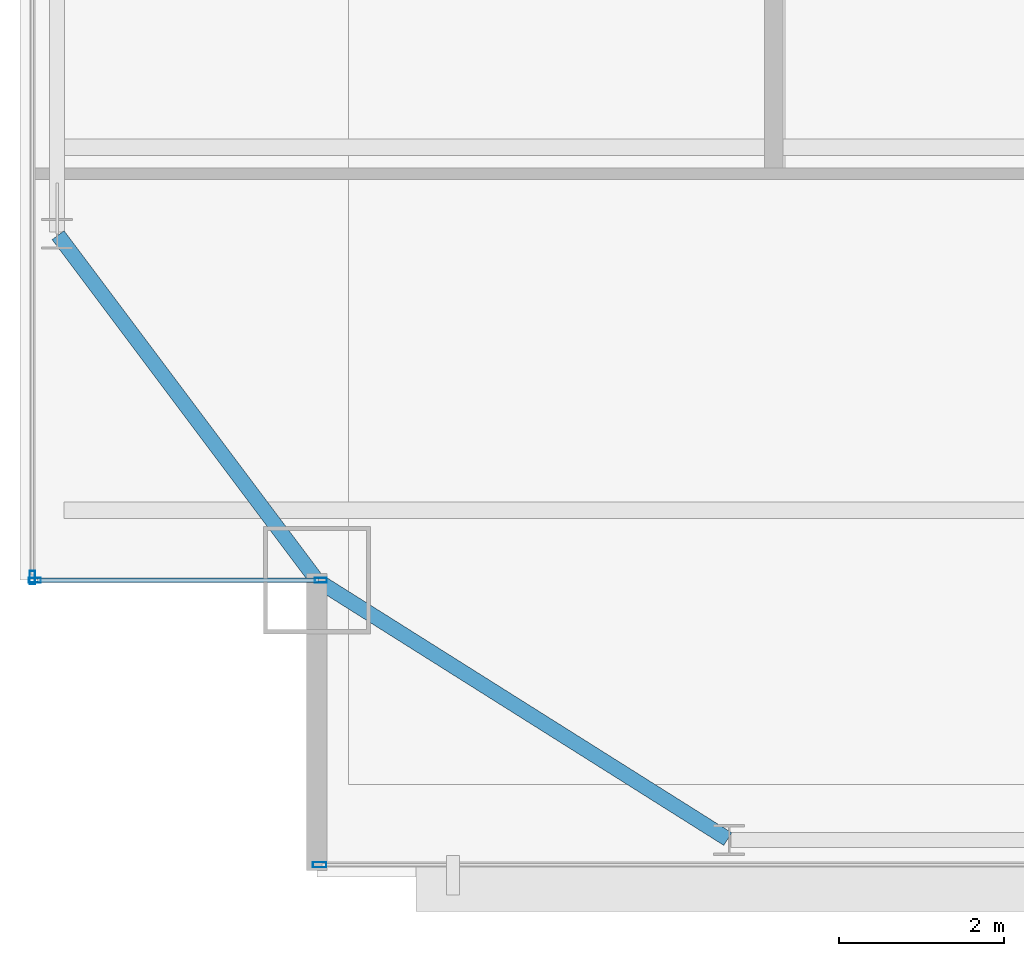
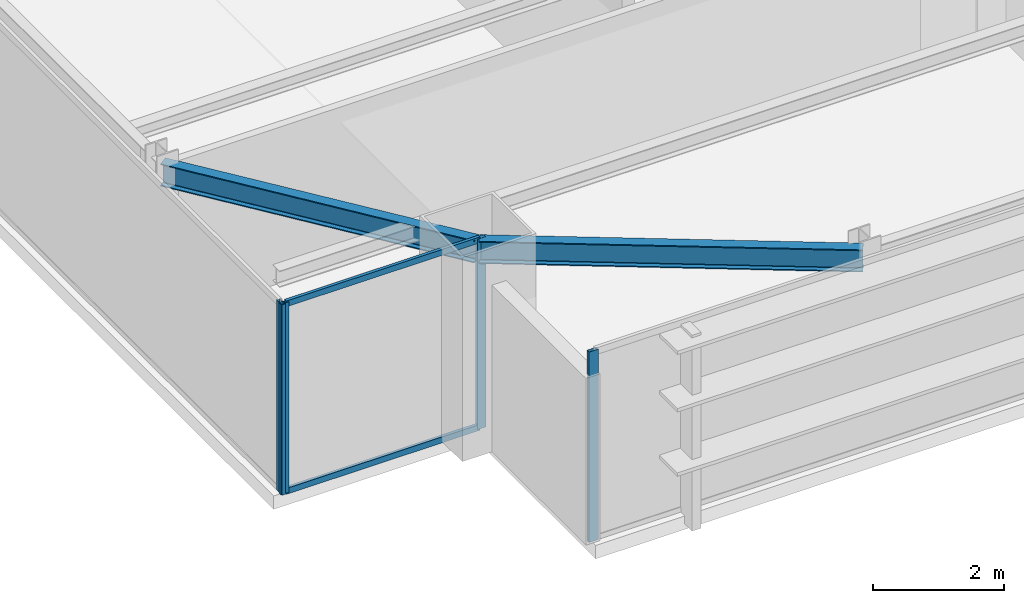
# One storey, part 4 of 29: 6 members, 2 beams, 3 elements without a shape of their own.
"""IFC4 building model written with IfcOpenShell, lengths in metres."""

from ifc_helpers import new_model, si_unit, direction, frame, origin, origin_2d, place, context, subcontext, project, spatial, hollow_rectangle, i_section, extrude, source, transform, mapped, material, layer, layer_set, material_profile, profile_set, type_object, type_shapes, element, aggregate, save


model = new_model("IFC4")

# Units and contexts
model_context = context("Model", 3, precision=1e-05, world=origin(), true_north=direction((0.0, 1.0)))
body_context = subcontext(model_context, "Body", "Model", "MODEL_VIEW")
ifc_project = project(units=[si_unit("LENGTHUNIT", "METRE"), si_unit("AREAUNIT", "SQUARE_METRE"), si_unit("VOLUMEUNIT", "CUBIC_METRE"), si_unit("PLANEANGLEUNIT", "RADIAN"), si_unit("MASSUNIT", "GRAM", prefix="KILO")], contexts=[model_context])

# Site, building, storey
site_placement = place(None, origin())
site = spatial("IfcSite", under=ifc_project, at=site_placement, CompositionType="ELEMENT")
building_placement = place(site_placement, origin())
building = spatial("IfcBuilding", under=site, at=building_placement, Name="Varnel Quay Broadcast Tower", CompositionType="ELEMENT")
storey_placement = place(building_placement, frame((0.0, 0.0, 172.39990234375)))
storey = spatial("IfcBuildingStorey", under=building, at=storey_placement, Name="L42", CompositionType="ELEMENT", Elevation=172.39990234375)

# Beams
ifc_material_1 = material(Name="Structural Steel CSA G40.21 350W", Category="steel")
ifc_material_profile_1 = material_profile(ifc_material_1, i_section(OverallWidth=0.180908203125, OverallDepth=0.4169921875, WebThickness=0.010986328125, FlangeThickness=0.018310546875, FilletRadius=0.011962890625, at=origin_2d()), Name="W410X85")
ifc_profile_set_1 = profile_set([ifc_material_profile_1], Name="Structural Steel CSA G40.21 350W")
beam_type = type_object("IfcBeamType", Name="Beam_W410X85", PredefinedType="SPANDREL", material=ifc_profile_set_1)
shared_shape_1 = source(origin(), body_context, "Body", "SweptSolid", [
    extrude(i_section(OverallWidth=0.180908203125, OverallDepth=0.4169921875, WebThickness=0.010986328125, FlangeThickness=0.018310546875, FilletRadius=0.011962890625, at=origin_2d()), origin(), (0.0, 0.0, 1.0), 5.869384765625),
])
beam_1_placement = place(storey_placement, frame((10.616943359375, 10.789306640625, 3.341552734375), z_axis=(0.846088328928, -0.533042718412, 0.0), x_axis=(0.533042718412, 0.846088328928, 0.0)))
element("IfcBeam", 1, at=beam_1_placement, inside=storey, type_object=beam_type, Name="L42 South Spandrel MC-SW-TC-S1", PredefinedType="SPANDREL", context=body_context, shape_type="MappedRepresentation", body=[
    mapped(shared_shape_1, transform((0.0, 0.0, 0.0), x_axis=(1.0, 0.0, 0.0), y_axis=(0.0, 1.0, 0.0), z_axis=(0.0, 0.0, 1.0), scale=1.0)),
])
shared_shape_2 = source(origin(), body_context, "Body", "SweptSolid", [
    extrude(i_section(OverallWidth=0.180908203125, OverallDepth=0.4169921875, WebThickness=0.010986328125, FlangeThickness=0.018310546875, FilletRadius=0.011962890625, at=origin_2d()), origin(), (0.0, 0.0, 1.0), 5.2099609375),
])
type_shapes(beam_type, [shared_shape_1, shared_shape_2])
beam_2_placement = place(storey_placement, frame((10.587890625, 10.81591796875, 3.341552734375), z_axis=(-0.6, 0.8, 0.0), x_axis=(-0.8, -0.6, 0.0)))
element("IfcBeam", 2, at=beam_2_placement, inside=storey, type_object=beam_type, Name="L42 West Spandrel MC-SW-TC-W1", PredefinedType="SPANDREL", context=body_context, shape_type="MappedRepresentation", body=[
    mapped(shared_shape_2, transform((0.0, 0.0, 0.0), x_axis=(1.0, 0.0, 0.0), y_axis=(0.0, 1.0, 0.0), z_axis=(0.0, 0.0, 1.0), scale=1.0)),
])

# Curtain wall, members
ifc_material_2 = material(Name="Anodised Bronze Aluminium 6063-T6", Category="aluminium")
ifc_layer_1 = layer(ifc_material_2, 0.18994140625, Name="Anodised Bronze Aluminium 6063-T6")
ifc_layer_set_1 = layer_set([ifc_layer_1], Name="Anodised Bronze Aluminium 6063-T6")
curtain_wall_type_1 = type_object("IfcCurtainWallType", Name="CW_NotchCorner", PredefinedType="NOTDEFINED", material=ifc_layer_set_1)
curtain_wall_1_placement = place(storey_placement, origin())
curtain_wall_1 = element("IfcCurtainWall", 3, at=curtain_wall_1_placement, inside=storey, type_object=curtain_wall_type_1, Name="L42 SW Notch Curtain Wall", PredefinedType="NOTDEFINED")
ifc_material_profile_2 = material_profile(ifc_material_2, hollow_rectangle(XDim=0.054931640625, YDim=0.110107421875, WallThickness=0.0029296875, at=origin_2d()), Name="ALU55X110X3")
ifc_profile_set_2 = profile_set([ifc_material_profile_2], Name="Anodised Bronze Aluminium 6063-T6")
member_type_1 = type_object("IfcMemberType", Name="Tran_CWS-04", PredefinedType="USERDEFINED", material=ifc_profile_set_2)
shared_shape_3 = source(origin(), body_context, "Body", "SweptSolid", [
    extrude(hollow_rectangle(XDim=0.054931640625, YDim=0.110107421875, WallThickness=0.0029296875, at=origin_2d()), origin(), (0.0, 0.0, 1.0), 3.41015625),
])
type_shapes(member_type_1, [shared_shape_3])
member_1_placement = place(storey_placement, frame((7.2099609375, 10.800048828125, 0.027587890625), z_axis=(1.0, 0.0, 0.0), x_axis=(0.0, 1.0, 0.0)))
member_1 = element("IfcMember", 4, at=member_1_placement, type_object=member_type_1, Name="CWS-04 transom 1.1", ObjectType="TRANSOM", PredefinedType="USERDEFINED", context=body_context, shape_type="MappedRepresentation", body=[
    mapped(shared_shape_3, transform((0.0, 0.0, 0.0), x_axis=(1.0, 0.0, 0.0), y_axis=(0.0, 1.0, 0.0), z_axis=(0.0, 0.0, 1.0), scale=1.0)),
])
member_2_placement = place(storey_placement, frame((7.2099609375, 10.800048828125, 3.522705078125), z_axis=(1.0, 0.0, 0.0), x_axis=(0.0, 1.0, 0.0)))
member_2 = element("IfcMember", 5, at=member_2_placement, type_object=member_type_1, Name="CWS-04 transom 1.2", ObjectType="TRANSOM", PredefinedType="USERDEFINED", context=body_context, shape_type="MappedRepresentation", body=[
    mapped(shared_shape_3, transform((0.0, 0.0, 0.0), x_axis=(1.0, 0.0, 0.0), y_axis=(0.0, 1.0, 0.0), z_axis=(0.0, 0.0, 1.0), scale=1.0)),
])
ifc_material_profile_3 = material_profile(ifc_material_2, hollow_rectangle(XDim=0.06005859375, YDim=0.14501953125, WallThickness=0.00341796875, at=origin_2d()), Name="ALU60X145X3.5")
ifc_profile_set_3 = profile_set([ifc_material_profile_3], Name="Anodised Bronze Aluminium 6063-T6")
member_type_2 = type_object("IfcMemberType", Name="Mull_CWS-04", PredefinedType="MULLION", material=ifc_profile_set_3)
shared_shape_4 = source(origin(), body_context, "Body", "SweptSolid", [
    extrude(hollow_rectangle(XDim=0.06005859375, YDim=0.14501953125, WallThickness=0.00341796875, at=origin_2d()), origin(), (0.0, 0.0, 1.0), 3.550048828125),
])
type_shapes(member_type_2, [shared_shape_4])
member_3_placement = place(storey_placement, frame((7.179931640625, 10.800048828125, 0.0), z_axis=(0.0, 0.0, 1.0), x_axis=(0.0, 1.0, 0.0)))
member_3 = element("IfcMember", 6, at=member_3_placement, type_object=member_type_2, Name="CWS-04 mullion 1", PredefinedType="MULLION", context=body_context, shape_type="MappedRepresentation", body=[
    mapped(shared_shape_4, transform((0.0, 0.0, 0.0), x_axis=(1.0, 0.0, 0.0), y_axis=(0.0, 1.0, 0.0), z_axis=(0.0, 0.0, 1.0), scale=1.0)),
])
member_4_placement = place(storey_placement, frame((10.64990234375, 10.800048828125, 0.0), z_axis=(0.0, 0.0, 1.0), x_axis=(0.0, 1.0, 0.0)))
member_4 = element("IfcMember", 7, at=member_4_placement, type_object=member_type_2, Name="CWS-04 mullion 2", PredefinedType="MULLION", context=body_context, shape_type="MappedRepresentation", body=[
    mapped(shared_shape_4, transform((0.0, 0.0, 0.0), x_axis=(1.0, 0.0, 0.0), y_axis=(0.0, 1.0, 0.0), z_axis=(0.0, 0.0, 1.0), scale=1.0)),
])
aggregate(curtain_wall_1, [member_3, member_4, member_1, member_2])

# Curtain wall, member
ifc_layer_2 = layer(ifc_material_2, 0.18994140625, Name="Anodised Bronze Aluminium 6063-T6")
ifc_layer_set_2 = layer_set([ifc_layer_2], Name="Anodised Bronze Aluminium 6063-T6")
curtain_wall_type_2 = type_object("IfcCurtainWallType", Name="CW_UpperTower", PredefinedType="NOTDEFINED", material=ifc_layer_set_2)
curtain_wall_2_placement = place(storey_placement, origin())
curtain_wall_2 = element("IfcCurtainWall", 8, at=curtain_wall_2_placement, inside=storey, type_object=curtain_wall_type_2, Name="L42 South Unitised Curtain Wall 1", PredefinedType="NOTDEFINED")
ifc_material_profile_4 = material_profile(ifc_material_2, hollow_rectangle(XDim=0.06494140625, YDim=0.1650390625, WallThickness=0.00341796875, at=origin_2d()), Name="ALU65X165X3.5")
ifc_profile_set_4 = profile_set([ifc_material_profile_4], Name="Anodised Bronze Aluminium 6063-T6")
member_type_3 = type_object("IfcMemberType", Name="Mull_CWS-03", PredefinedType="MULLION", material=ifc_profile_set_4)
shared_shape_5 = source(origin(), body_context, "Body", "SweptSolid", [
    extrude(hollow_rectangle(XDim=0.06494140625, YDim=0.1650390625, WallThickness=0.00341796875, at=origin_2d()), origin(), (0.0, 0.0, 1.0), 3.550048828125),
])
type_shapes(member_type_3, [shared_shape_5])
member_5_placement = place(storey_placement, frame((10.632568359375, 7.35009765625, 0.0), z_axis=(0.0, 0.0, 1.0), x_axis=(0.0, 1.0, 0.0)))
member_5 = element("IfcMember", 9, at=member_5_placement, type_object=member_type_3, Name="CWS-03 mullion 1", PredefinedType="MULLION", context=body_context, shape_type="MappedRepresentation", body=[
    mapped(shared_shape_5, transform((0.0, 0.0, 0.0), x_axis=(1.0, 0.0, 0.0), y_axis=(0.0, 1.0, 0.0), z_axis=(0.0, 0.0, 1.0), scale=1.0)),
])
aggregate(curtain_wall_2, [member_5])

curtain_wall_3_placement = place(storey_placement, origin())
curtain_wall_3 = element("IfcCurtainWall", 10, at=curtain_wall_3_placement, inside=storey, type_object=curtain_wall_type_2, Name="L42 West Unitised Curtain Wall", PredefinedType="NOTDEFINED")
member_6_placement = place(storey_placement, frame((7.14990234375, 10.83251953125, 0.0), z_axis=(0.0, 0.0, 1.0), x_axis=(-1.0, 0.0, 0.0)))
member_6 = element("IfcMember", 11, at=member_6_placement, type_object=member_type_3, Name="CWS-03 mullion 1", PredefinedType="MULLION", context=body_context, shape_type="MappedRepresentation", body=[
    mapped(shared_shape_5, transform((0.0, 0.0, 0.0), x_axis=(1.0, 0.0, 0.0), y_axis=(0.0, 1.0, 0.0), z_axis=(0.0, 0.0, 1.0), scale=1.0)),
])
aggregate(curtain_wall_3, [member_6])

save(model, "model.ifc")
